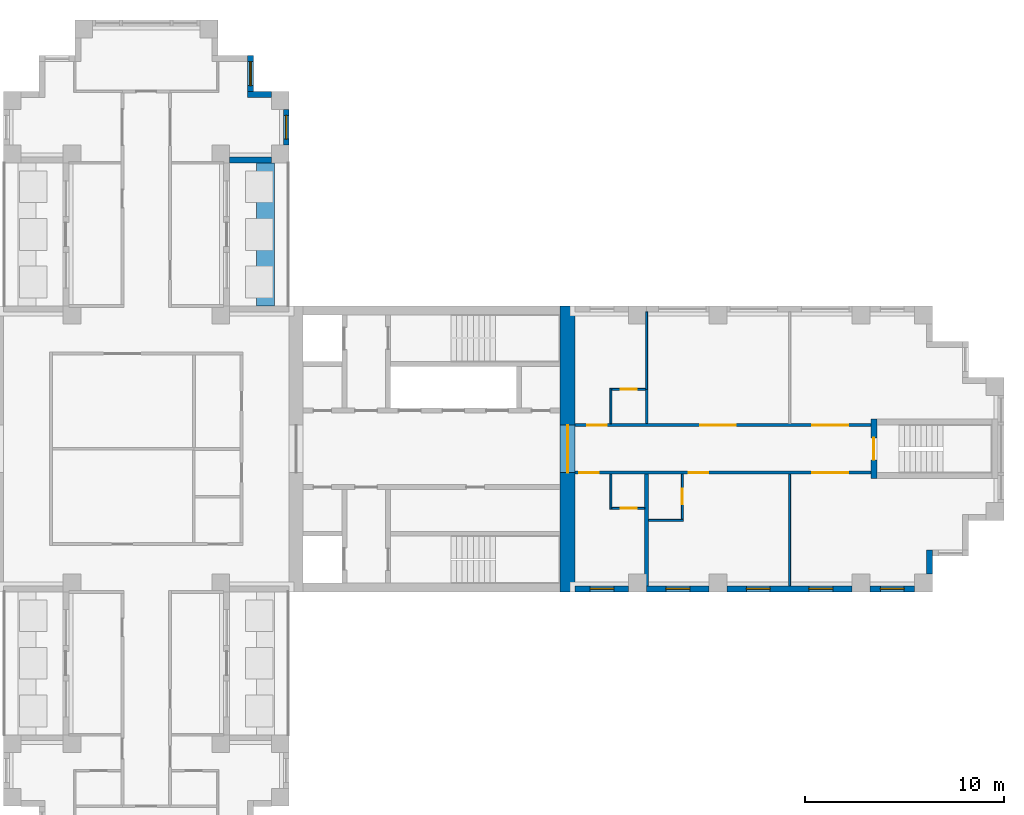
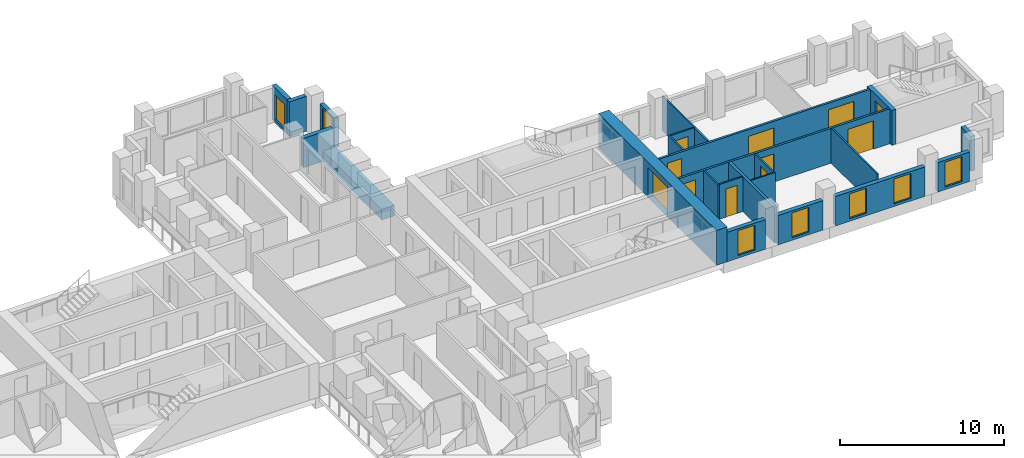
# One storey, part 8 of 12: 24 walls, 11 doors, 7 windows, 18 openings.
"""IFC4 building model written with IfcOpenShell, lengths in metres."""

import ifcopenshell
import ifcopenshell.guid

model = None  # the IFC model being written
_history = None  # IfcOwnerHistory: only IFC2X3 demands one
_inside = {}  # id of a spatial element -> (the spatial element, [elements in it])
_under = {}  # id of a project, library or spatial element -> (it, [spatial elements below it])
_declared = {}  # id of a project -> (the project, [libraries it declares])
_typed = {}  # id of a type object -> (the type object, [elements of that type])
_made_of = {}  # id of a material, layer set ... -> (it, [elements and type objects made of it])


def new_model(schema):
    """Start an empty IFC model of exactly this schema.

    Asked for "IFC4X3", IfcOpenShell would pick the latest addendum, in which some entities
    have other attributes; the version numbers below select the first issue.
    IFC2X3 requires an IfcOwnerHistory on every rooted entity: one is made here for all.
    """
    global model, _history
    if schema == "IFC4X3":
        model = ifcopenshell.file(schema_version=(4, 3, 0, 0))
    else:
        model = ifcopenshell.file(schema=schema)
    _inside.clear()
    _under.clear()
    _declared.clear()
    _typed.clear()
    _made_of.clear()
    _history = None
    if model.schema == "IFC2X3":
        org = make("IfcOrganization", Name="unknown")
        user = make(
            "IfcPersonAndOrganization",
            ThePerson=make("IfcPerson", FamilyName="unknown"),
            TheOrganization=org,
        )
        app = make(
            "IfcApplication",
            ApplicationDeveloper=org,
            Version="unknown",
            ApplicationFullName="unknown",
            ApplicationIdentifier="unknown",
        )
        _history = make(
            "IfcOwnerHistory",
            OwningUser=user,
            OwningApplication=app,
            ChangeAction="ADDED",
            CreationDate=0,
        )
    return model


def make(cls, **values):
    """One entity of the class cls with the attributes given. An attribute that is None is left unset."""
    return model.create_entity(
        cls, **{name: value for name, value in values.items() if value is not None}
    )


def rooted(cls, **values):
    """An entity with a GlobalId (a new one), such as an element, a storey or a relation."""
    return make(cls, GlobalId=ifcopenshell.guid.new(), OwnerHistory=_history, **values)


def si_unit(unit_type, name, prefix=None):
    """IfcSIUnit, for example si_unit("LENGTHUNIT", "METRE", prefix="MILLI")."""
    return make("IfcSIUnit", UnitType=unit_type, Prefix=prefix, Name=name)


def assignment(units):
    """IfcUnitAssignment: the units of a project."""
    return None if units is None else make("IfcUnitAssignment", Units=units)


def point(xyz):
    """IfcCartesianPoint."""
    return None if xyz is None else make("IfcCartesianPoint", Coordinates=xyz)


def direction(xyz):
    """IfcDirection."""
    return None if xyz is None else make("IfcDirection", DirectionRatios=xyz)


def frame(location, z_axis=None, x_axis=None):
    """IfcAxis2Placement3D, a coordinate frame: its origin and axes. An axis left out is left unset."""
    return make(
        "IfcAxis2Placement3D",
        Location=point(location),
        Axis=direction(z_axis),
        RefDirection=direction(x_axis),
    )


def frame_2d(location, x_axis=None):
    """IfcAxis2Placement2D, a coordinate frame in the plane: its origin and x axis."""
    return make(
        "IfcAxis2Placement2D", Location=point(location), RefDirection=direction(x_axis)
    )


def origin():
    """The frame at (0, 0, 0) with its axes left unset."""
    return frame((0.0, 0.0, 0.0))


def place(relative_to, where):
    """IfcLocalPlacement: puts the frame where relative to a parent placement (None: the world)."""
    return make(
        "IfcLocalPlacement", PlacementRelTo=relative_to, RelativePlacement=where
    )


def context(
    kind, dimensions, precision=None, world=None, true_north=None, identifier=None
):
    """IfcGeometricRepresentationContext, for example the 3D "Model" context."""
    return make(
        "IfcGeometricRepresentationContext",
        ContextIdentifier=identifier,
        ContextType=kind,
        CoordinateSpaceDimension=dimensions,
        Precision=precision,
        WorldCoordinateSystem=world,
        TrueNorth=true_north,
    )


def subcontext(parent, identifier, kind, view, scale=None):
    """IfcGeometricRepresentationSubContext, for example "Body" below "Model"."""
    return make(
        "IfcGeometricRepresentationSubContext",
        ContextIdentifier=identifier,
        ContextType=kind,
        ParentContext=parent,
        TargetScale=scale,
        TargetView=view,
    )


def project(units=None, contexts=None):
    """IfcProject with its units and contexts."""
    return rooted(
        "IfcProject",
        Name="project",
        RepresentationContexts=contexts,
        UnitsInContext=assignment(units),
    )


def spatial(cls, under=None, at=None, **own):
    """A site, building, storey or space (cls), placed at a placement, below another one or the project."""
    s = rooted(cls, ObjectPlacement=at, **own)
    if under is not None:
        _under.setdefault(under.id(), (under, []))[1].append(s)
    return s


def profile(cls, at=None, kind="AREA", **sizes):
    """A parametric profile (cls). Its sizes go by their IFC names, for example OverallWidth=200.0."""
    return make(cls, ProfileType=kind, Position=at, **sizes)


def rectangle(**sizes):
    """IfcRectangleProfileDef."""
    return profile("IfcRectangleProfileDef", **sizes)


def extrude(swept, where, along, depth):
    """IfcExtrudedAreaSolid: the profile swept, set in the frame where, extruded along a direction by depth."""
    return make(
        "IfcExtrudedAreaSolid",
        SweptArea=swept,
        Position=where,
        ExtrudedDirection=direction(along),
        Depth=depth,
    )


def shape(context_of_items, identifier, shape_type, items):
    """IfcShapeRepresentation: the items that make up one representation, for example the "Body"."""
    return make(
        "IfcShapeRepresentation",
        ContextOfItems=context_of_items,
        RepresentationIdentifier=identifier,
        RepresentationType=shape_type,
        Items=items,
    )


def material(Name=None, Category=None):
    """IfcMaterial."""
    return make("IfcMaterial", Name=Name, Category=Category)


def layer(
    of_material, thickness, ventilated=None, Name=None, Category=None, Priority=None
):
    """IfcMaterialLayer: one layer of a wall or slab, of a material (None: an air gap)."""
    return make(
        "IfcMaterialLayer",
        Material=of_material,
        LayerThickness=thickness,
        IsVentilated=ventilated,
        Name=Name,
        Category=Category,
        Priority=Priority,
    )


def layer_set(layers, Name=None):
    """IfcMaterialLayerSet."""
    return make("IfcMaterialLayerSet", MaterialLayers=layers, LayerSetName=Name)


def made_of(thing, what):
    """Note that an element or type object is made of a material, layer set ...; save() writes the relation."""
    if what is not None:
        _made_of.setdefault(what.id(), (what, []))[1].append(thing)
    return thing


def type_object(cls, material=None, **own):
    """A type object (cls), such as IfcWallType, which elements share."""
    return made_of(rooted(cls, **own), material)


def element(
    cls,
    number,
    at=None,
    inside=None,
    cuts=None,
    type_object=None,
    material=None,
    context=None,
    identifier="Body",
    shape_type=None,
    held_by="IfcProductDefinitionShape",
    body=None,
    shapes=None,
    **own,
):
    """One element of the class cls, such as IfcWall. Its Tag is "e" and its number.

    at: its placement. inside: the storey or other place that contains it. cuts: it is an
    opening in that element (IfcRelVoidsElement). A single representation is given by context,
    identifier, shape_type and body (its items); several are given by shapes. held_by: the class
    of the entity that holds the representations. save() writes the other relations.
    """
    e = rooted(cls, Tag="e%d" % number, ObjectPlacement=at, **own)
    if body is not None:
        shapes = [shape(context, identifier, shape_type, body)]
    if shapes is not None:
        e.Representation = make(held_by, Representations=shapes)
    if inside is not None:
        _inside.setdefault(inside.id(), (inside, []))[1].append(e)
    if cuts is not None:
        rooted(
            "IfcRelVoidsElement", RelatingBuildingElement=cuts, RelatedOpeningElement=e
        )
    if type_object is not None:
        _typed.setdefault(type_object.id(), (type_object, []))[1].append(e)
    return made_of(e, material)


def fill(opening, filler):
    """IfcRelFillsElement: the door or window that sits in an opening."""
    return rooted(
        "IfcRelFillsElement",
        RelatingOpeningElement=opening,
        RelatedBuildingElement=filler,
    )


def aggregate(whole, parts):
    """IfcRelAggregates: a whole, such as a stair, and the parts it consists of."""
    return rooted("IfcRelAggregates", RelatingObject=whole, RelatedObjects=parts)


def save(model, path):
    """Write the relations noted so far, then the file.

    IfcRelAggregates (storeys below a building ...), IfcRelContainedInSpatialStructure (elements
    in a storey), IfcRelDefinesByType, IfcRelAssociatesMaterial and IfcRelDeclares: one each for
    every whole, place, type object, material and project.
    """
    for whole, parts in _under.values():
        aggregate(whole, parts)
    for where, things in _inside.values():
        rooted(
            "IfcRelContainedInSpatialStructure",
            RelatedElements=things,
            RelatingStructure=where,
        )
    for kind, things in _typed.values():
        rooted("IfcRelDefinesByType", RelatedObjects=things, RelatingType=kind)
    for what, things in _made_of.values():
        rooted("IfcRelAssociatesMaterial", RelatedObjects=things, RelatingMaterial=what)
    for by, libraries in _declared.values():
        rooted("IfcRelDeclares", RelatingContext=by, RelatedDefinitions=libraries)
    model.write(path)


model = new_model("IFC4")

# Units and contexts
model_context = context("Model", 3, precision=1e-05, world=origin(), true_north=direction((0.0, 1.0)))
body_context = subcontext(model_context, "Body", "Model", "MODEL_VIEW")
ifc_project = project(units=[si_unit("LENGTHUNIT", "METRE"), si_unit("AREAUNIT", "SQUARE_METRE"), si_unit("VOLUMEUNIT", "CUBIC_METRE"), si_unit("PLANEANGLEUNIT", "RADIAN"), si_unit("MASSUNIT", "GRAM", prefix="KILO")], contexts=[model_context])

# Site, building, storey
site_placement = place(None, origin())
site = spatial("IfcSite", under=ifc_project, at=site_placement, CompositionType="ELEMENT")
building_placement = place(site_placement, origin())
building = spatial("IfcBuilding", under=site, at=building_placement, Name="Fustian Cross Tower", CompositionType="ELEMENT")
storey_placement = place(building_placement, frame((0.0, 0.0, 132.300048828125)))
storey = spatial("IfcBuildingStorey", under=building, at=storey_placement, Name="L41", CompositionType="ELEMENT", Elevation=132.300048828125)

# Wall, openings, doors
ifc_material_1 = material(Name="Plasterboard on steel stud", Category="steel")
ifc_layer_1 = layer(ifc_material_1, 0.14990234375)
ifc_layer_set_1 = layer_set([ifc_layer_1], Name="Plasterboard on steel stud")
wall_type_1 = type_object("IfcWallType", Name="COMPARTMENT WALL 150 EI 60", PredefinedType="PARTITIONING", material=ifc_layer_set_1)
wall_1_placement = place(storey_placement, frame((21.60009765625, -1.199951171875, 0.0), z_axis=(0.0, 0.0, 1.0), x_axis=(1.0, 0.0, 0.0)))
wall_1 = element("IfcWall", 1, at=wall_1_placement, inside=storey, type_object=wall_type_1, Name="Partition 49", PredefinedType="PARTITIONING", context=body_context, shape_type="SweptSolid", body=[
    extrude(rectangle(XDim=14.89990234375, YDim=0.14990234375, at=frame_2d((7.449951171875, 0.0))), origin(), (0.0, 0.0, 1.0), 2.599853515625),
])
opening_1_placement = place(wall_1_placement, frame((0.199951171875, 0.0, 0.0)))
opening_1 = element("IfcOpeningElement", 2, at=opening_1_placement, cuts=wall_1, Name="Opening D19011", PredefinedType="OPENING", context=body_context, shape_type="SweptSolid", body=[
    extrude(rectangle(XDim=1.0, YDim=2.10009765625, at=frame_2d((0.5, 1.050048828125))), frame((0.0, 0.0849609375, 0.0), z_axis=(0.0, -1.0, 0.0), x_axis=(1.0, 0.0, 0.0)), (0.0, 0.0, 1.0), 0.169921875),
])
opening_2_placement = place(wall_1_placement, frame((5.7099609375, 0.0, 0.0)))
opening_2 = element("IfcOpeningElement", 3, at=opening_2_placement, cuts=wall_1, Name="Opening D19013", PredefinedType="OPENING", context=body_context, shape_type="SweptSolid", body=[
    extrude(rectangle(XDim=1.0, YDim=2.10009765625, at=frame_2d((0.5, 1.050048828125))), frame((0.0, 0.0849609375, 0.0), z_axis=(0.0, -1.0, 0.0), x_axis=(1.0, 0.0, 0.0)), (0.0, 0.0, 1.0), 0.169921875),
])
opening_3_placement = place(wall_1_placement, frame((11.949951171875, 0.0, 0.0)))
opening_3 = element("IfcOpeningElement", 4, at=opening_3_placement, cuts=wall_1, Name="Opening D19014", PredefinedType="OPENING", context=body_context, shape_type="SweptSolid", body=[
    extrude(rectangle(XDim=1.800048828125, YDim=2.10009765625, at=frame_2d((0.89990234375, 1.050048828125))), frame((0.0, 0.0849609375, 0.0), z_axis=(0.0, -1.0, 0.0), x_axis=(1.0, 0.0, 0.0)), (0.0, 0.0, 1.0), 0.169921875),
])
ifc_material_2 = material(Name="Timber fire door set", Category="wood")
door_type_1 = type_object("IfcDoorType", Name="FIRE DOUBLE DOOR 1800 FD30S", OperationType="DOUBLE_DOOR_DOUBLE_SWING", PredefinedType="DOOR", material=ifc_material_2)
door_1_placement = place(opening_3_placement, origin())
door_1 = element("IfcDoor", 5, at=door_1_placement, inside=storey, type_object=door_type_1, Name="Door D19014", OperationType="DOUBLE_DOOR_DOUBLE_SWING", OverallHeight=2.10009765625, OverallWidth=1.800048828125, PredefinedType="DOOR", context=body_context, shape_type="SweptSolid", body=[
    extrude(rectangle(XDim=1.800048828125, YDim=2.10009765625, at=frame_2d((0.89990234375, 1.050048828125))), frame((0.0, 0.02490234375, 0.0), z_axis=(0.0, -1.0, 0.0), x_axis=(1.0, 0.0, 0.0)), (0.0, 0.0, 1.0), 0.050048828125),
])
fill(opening_3, door_1)
ifc_material_3 = material(Name="Timber fire door set", Category="wood")
door_type_2 = type_object("IfcDoorType", Name="FIRE SWING DOOR 1000 FD30S", OperationType="SINGLE_SWING_LEFT", PredefinedType="DOOR", material=ifc_material_3)
door_2_placement = place(opening_1_placement, frame((1.0, 0.0, 0.0), z_axis=(0.0, 0.0, 1.0), x_axis=(-1.0, 0.0, 0.0)))
door_2 = element("IfcDoor", 6, at=door_2_placement, inside=storey, type_object=door_type_2, Name="Door D19011", OperationType="SINGLE_SWING_RIGHT", OverallHeight=2.10009765625, OverallWidth=1.0, PredefinedType="DOOR", context=body_context, shape_type="SweptSolid", body=[
    extrude(rectangle(XDim=1.0, YDim=2.10009765625, at=frame_2d((0.5, 1.050048828125))), frame((0.0, 0.02490234375, 0.0), z_axis=(0.0, -1.0, 0.0), x_axis=(1.0, 0.0, 0.0)), (0.0, 0.0, 1.0), 0.050048828125),
])
fill(opening_1, door_2)
door_3_placement = place(opening_2_placement, frame((1.0, 0.0, 0.0), z_axis=(0.0, 0.0, 1.0), x_axis=(-1.0, 0.0, 0.0)))
door_3 = element("IfcDoor", 7, at=door_3_placement, inside=storey, type_object=door_type_2, Name="Door D19013", OperationType="SINGLE_SWING_RIGHT", OverallHeight=2.10009765625, OverallWidth=1.0, PredefinedType="DOOR", context=body_context, shape_type="SweptSolid", body=[
    extrude(rectangle(XDim=1.0, YDim=2.10009765625, at=frame_2d((0.5, 1.050048828125))), frame((0.0, 0.02490234375, 0.0), z_axis=(0.0, -1.0, 0.0), x_axis=(1.0, 0.0, 0.0)), (0.0, 0.0, 1.0), 0.050048828125),
])
fill(opening_2, door_3)

wall_2_placement = place(storey_placement, frame((21.60009765625, 1.199951171875, 0.0), z_axis=(0.0, 0.0, 1.0), x_axis=(1.0, 0.0, 0.0)))
wall_2 = element("IfcWall", 8, at=wall_2_placement, inside=storey, type_object=wall_type_1, Name="Partition 50", PredefinedType="PARTITIONING", context=body_context, shape_type="SweptSolid", body=[
    extrude(rectangle(XDim=14.89990234375, YDim=0.14990234375, at=frame_2d((7.449951171875, 0.0))), origin(), (0.0, 0.0, 1.0), 2.599853515625),
])
opening_4_placement = place(wall_2_placement, frame((0.60009765625, 0.0, 0.0)))
opening_4 = element("IfcOpeningElement", 9, at=opening_4_placement, cuts=wall_2, Name="Opening D19007", PredefinedType="OPENING", context=body_context, shape_type="SweptSolid", body=[
    extrude(rectangle(XDim=1.0, YDim=2.10009765625, at=frame_2d((0.5, 1.050048828125))), frame((0.0, 0.0849609375, 0.0), z_axis=(0.0, -1.0, 0.0), x_axis=(1.0, 0.0, 0.0)), (0.0, 0.0, 1.0), 0.169921875),
])
opening_5_placement = place(wall_2_placement, frame((6.300048828125, 0.0, 0.0)))
opening_5 = element("IfcOpeningElement", 10, at=opening_5_placement, cuts=wall_2, Name="Opening D19008", PredefinedType="OPENING", context=body_context, shape_type="SweptSolid", body=[
    extrude(rectangle(XDim=1.800048828125, YDim=2.10009765625, at=frame_2d((0.89990234375, 1.050048828125))), frame((0.0, 0.0849609375, 0.0), z_axis=(0.0, -1.0, 0.0), x_axis=(1.0, 0.0, 0.0)), (0.0, 0.0, 1.0), 0.169921875),
])
opening_6_placement = place(wall_2_placement, frame((11.949951171875, 0.0, 0.0)))
opening_6 = element("IfcOpeningElement", 11, at=opening_6_placement, cuts=wall_2, Name="Opening D19009", PredefinedType="OPENING", context=body_context, shape_type="SweptSolid", body=[
    extrude(rectangle(XDim=1.800048828125, YDim=2.10009765625, at=frame_2d((0.89990234375, 1.050048828125))), frame((0.0, 0.0849609375, 0.0), z_axis=(0.0, -1.0, 0.0), x_axis=(1.0, 0.0, 0.0)), (0.0, 0.0, 1.0), 0.169921875),
])
door_4_placement = place(opening_5_placement, frame((1.800048828125, 0.0, 0.0), z_axis=(0.0, 0.0, 1.0), x_axis=(-1.0, 0.0, 0.0)))
door_4 = element("IfcDoor", 12, at=door_4_placement, inside=storey, type_object=door_type_1, Name="Door D19008", OperationType="DOUBLE_DOOR_DOUBLE_SWING", OverallHeight=2.10009765625, OverallWidth=1.800048828125, PredefinedType="DOOR", context=body_context, shape_type="SweptSolid", body=[
    extrude(rectangle(XDim=1.800048828125, YDim=2.10009765625, at=frame_2d((0.89990234375, 1.050048828125))), frame((0.0, 0.02490234375, 0.0), z_axis=(0.0, -1.0, 0.0), x_axis=(1.0, 0.0, 0.0)), (0.0, 0.0, 1.0), 0.050048828125),
])
fill(opening_5, door_4)
door_5_placement = place(opening_6_placement, frame((1.800048828125, 0.0, 0.0), z_axis=(0.0, 0.0, 1.0), x_axis=(-1.0, 0.0, 0.0)))
door_5 = element("IfcDoor", 13, at=door_5_placement, inside=storey, type_object=door_type_1, Name="Door D19009", OperationType="DOUBLE_DOOR_DOUBLE_SWING", OverallHeight=2.10009765625, OverallWidth=1.800048828125, PredefinedType="DOOR", context=body_context, shape_type="SweptSolid", body=[
    extrude(rectangle(XDim=1.800048828125, YDim=2.10009765625, at=frame_2d((0.89990234375, 1.050048828125))), frame((0.0, 0.02490234375, 0.0), z_axis=(0.0, -1.0, 0.0), x_axis=(1.0, 0.0, 0.0)), (0.0, 0.0, 1.0), 0.050048828125),
])
fill(opening_6, door_5)
door_6_placement = place(opening_4_placement, origin())
door_6 = element("IfcDoor", 14, at=door_6_placement, inside=storey, type_object=door_type_2, Name="Door D19007", OperationType="SINGLE_SWING_RIGHT", OverallHeight=2.10009765625, OverallWidth=1.0, PredefinedType="DOOR", context=body_context, shape_type="SweptSolid", body=[
    extrude(rectangle(XDim=1.0, YDim=2.10009765625, at=frame_2d((0.5, 1.050048828125))), frame((0.0, 0.02490234375, 0.0), z_axis=(0.0, -1.0, 0.0), x_axis=(1.0, 0.0, 0.0)), (0.0, 0.0, 1.0), 0.050048828125),
])
fill(opening_4, door_6)

# Wall, opening, door
ifc_material_4 = material(Name="Concrete C60/75", Category="concrete")
ifc_layer_2 = layer(ifc_material_4, 0.75)
ifc_layer_set_2 = layer_set([ifc_layer_2], Name="Concrete C60/75")
wall_type_2 = type_object("IfcWallType", Name="CORE END WALL 750 C60/75", PredefinedType="SHEAR", material=ifc_layer_set_2)
wall_3_placement = place(storey_placement, frame((21.22509765625, -7.199951171875, 0.0), z_axis=(0.0, 0.0, 1.0), x_axis=(0.0, 1.0, 0.0)))
wall_3 = element("IfcWall", 15, at=wall_3_placement, inside=storey, type_object=wall_type_2, Name="Core end wall", PredefinedType="SHEAR", context=body_context, shape_type="SweptSolid", body=[
    extrude(rectangle(XDim=14.39990234375, YDim=0.75, at=frame_2d((7.199951171875, 0.0))), origin(), (0.0, 0.0, 1.0), 2.599853515625),
])
opening_7_placement = place(wall_3_placement, frame((6.0, 0.0, 0.0)))
opening_7 = element("IfcOpeningElement", 16, at=opening_7_placement, cuts=wall_3, Name="Opening CD-17-13", PredefinedType="OPENING", context=body_context, shape_type="SweptSolid", body=[
    extrude(rectangle(XDim=2.39990234375, YDim=2.199951171875, at=frame_2d((1.199951171875, 1.10009765625))), frame((0.0, 0.385009765625, 0.0), z_axis=(0.0, -1.0, 0.0), x_axis=(1.0, 0.0, 0.0)), (0.0, 0.0, 1.0), 0.77001953125),
])
ifc_material_5 = material(Name="Steel", Category="steel")
door_type_3 = type_object("IfcDoorType", Name="FIRE DOOR FD30S DOUBLE 2400X2200", OperationType="DOUBLE_DOOR_DOUBLE_SWING", PredefinedType="DOOR", material=ifc_material_5)
door_7_placement = place(opening_7_placement, origin())
door_7 = element("IfcDoor", 17, at=door_7_placement, inside=storey, type_object=door_type_3, Name="Core door CD-17-13", OperationType="DOUBLE_DOOR_DOUBLE_SWING", OverallHeight=2.199951171875, OverallWidth=2.39990234375, PredefinedType="DOOR", context=body_context, shape_type="SweptSolid", body=[
    extrude(rectangle(XDim=2.39990234375, YDim=2.199951171875, at=frame_2d((1.199951171875, 1.10009765625))), frame((0.0, 0.02490234375, 0.0), z_axis=(0.0, -1.0, 0.0), x_axis=(1.0, 0.0, 0.0)), (0.0, 0.0, 1.0), 0.050048828125),
])
fill(opening_7, door_7)

# Wall
ifc_material_6 = material(Name="Plasterboard on steel stud", Category="steel")
ifc_layer_3 = layer(ifc_material_6, 0.10009765625)
ifc_layer_set_3 = layer_set([ifc_layer_3], Name="Plasterboard on steel stud")
wall_type_3 = type_object("IfcWallType", Name="PARTITION 100 STUD", PredefinedType="PARTITIONING", material=ifc_layer_set_3)
wall_4_placement = place(storey_placement, frame((23.39990234375, -3.050048828125, 0.0), z_axis=(0.0, 0.0, 1.0), x_axis=(0.0, 1.0, 0.0)))
element("IfcWall", 18, at=wall_4_placement, inside=storey, type_object=wall_type_3, Name="Partition 51", PredefinedType="PARTITIONING", context=body_context, shape_type="SweptSolid", body=[
    extrude(rectangle(XDim=1.775146484375, YDim=0.10009765625, at=frame_2d((0.8876953125, 0.0))), origin(), (0.0, 0.0, 1.0), 2.599853515625),
])

# Wall, opening, door
wall_5_placement = place(storey_placement, frame((23.449951171875, -3.0, 0.0), z_axis=(0.0, 0.0, 1.0), x_axis=(1.0, 0.0, 0.0)))
wall_5 = element("IfcWall", 19, at=wall_5_placement, inside=storey, type_object=wall_type_3, Name="Partition 52", PredefinedType="PARTITIONING", context=body_context, shape_type="SweptSolid", body=[
    extrude(rectangle(XDim=1.650146484375, YDim=0.10009765625, at=frame_2d((0.8251953125, 0.0))), origin(), (0.0, 0.0, 1.0), 2.599853515625),
])
opening_8_placement = place(wall_5_placement, frame((0.449951171875, 0.0, 0.0)))
opening_8 = element("IfcOpeningElement", 20, at=opening_8_placement, cuts=wall_5, Name="Opening D19010", PredefinedType="OPENING", context=body_context, shape_type="SweptSolid", body=[
    extrude(rectangle(XDim=0.800048828125, YDim=2.10009765625, at=frame_2d((0.39990234375, 1.050048828125))), frame((0.0, 0.06005859375, 0.0), z_axis=(0.0, -1.0, 0.0), x_axis=(1.0, 0.0, 0.0)), (0.0, 0.0, 1.0), 0.1201171875),
])
ifc_material_7 = material(Name="Painted timber", Category="wood")
door_type_4 = type_object("IfcDoorType", Name="SWING DOOR 800", OperationType="SINGLE_SWING_LEFT", PredefinedType="DOOR", material=ifc_material_7)
door_8_placement = place(opening_8_placement, origin())
door_8 = element("IfcDoor", 21, at=door_8_placement, inside=storey, type_object=door_type_4, Name="Door D19010", OperationType="SINGLE_SWING_RIGHT", OverallHeight=2.10009765625, OverallWidth=0.800048828125, PredefinedType="DOOR", context=body_context, shape_type="SweptSolid", body=[
    extrude(rectangle(XDim=0.800048828125, YDim=2.10009765625, at=frame_2d((0.39990234375, 1.050048828125))), frame((0.0, 0.02490234375, 0.0), z_axis=(0.0, -1.0, 0.0), x_axis=(1.0, 0.0, 0.0)), (0.0, 0.0, 1.0), 0.050048828125),
])
fill(opening_8, door_8)

# Wall
wall_6_placement = place(storey_placement, frame((23.39990234375, 1.27490234375, 0.0), z_axis=(0.0, 0.0, 1.0), x_axis=(0.0, 1.0, 0.0)))
element("IfcWall", 22, at=wall_6_placement, inside=storey, type_object=wall_type_3, Name="Partition 53", PredefinedType="PARTITIONING", context=body_context, shape_type="SweptSolid", body=[
    extrude(rectangle(XDim=1.775146484375, YDim=0.10009765625, at=frame_2d((0.8876953125, 0.0))), origin(), (0.0, 0.0, 1.0), 2.599853515625),
])

# Wall, opening, door
wall_7_placement = place(storey_placement, frame((23.449951171875, 3.0, 0.0), z_axis=(0.0, 0.0, 1.0), x_axis=(1.0, 0.0, 0.0)))
wall_7 = element("IfcWall", 23, at=wall_7_placement, inside=storey, type_object=wall_type_3, Name="Partition 54", PredefinedType="PARTITIONING", context=body_context, shape_type="SweptSolid", body=[
    extrude(rectangle(XDim=1.6875, YDim=0.10009765625, at=frame_2d((0.84375, 0.0))), origin(), (0.0, 0.0, 1.0), 2.599853515625),
])
opening_9_placement = place(wall_7_placement, frame((0.449951171875, 0.0, 0.0)))
opening_9 = element("IfcOpeningElement", 24, at=opening_9_placement, cuts=wall_7, Name="Opening D19006", PredefinedType="OPENING", context=body_context, shape_type="SweptSolid", body=[
    extrude(rectangle(XDim=0.800048828125, YDim=2.10009765625, at=frame_2d((0.39990234375, 1.050048828125))), frame((0.0, 0.06005859375, 0.0), z_axis=(0.0, -1.0, 0.0), x_axis=(1.0, 0.0, 0.0)), (0.0, 0.0, 1.0), 0.1201171875),
])
door_9_placement = place(opening_9_placement, frame((0.800048828125, 0.0, 0.0), z_axis=(0.0, 0.0, 1.0), x_axis=(-1.0, 0.0, 0.0)))
door_9 = element("IfcDoor", 25, at=door_9_placement, inside=storey, type_object=door_type_4, Name="Door D19006", OperationType="SINGLE_SWING_LEFT", OverallHeight=2.10009765625, OverallWidth=0.800048828125, PredefinedType="DOOR", context=body_context, shape_type="SweptSolid", body=[
    extrude(rectangle(XDim=0.800048828125, YDim=2.10009765625, at=frame_2d((0.39990234375, 1.050048828125))), frame((0.0, 0.02490234375, 0.0), z_axis=(0.0, -1.0, 0.0), x_axis=(1.0, 0.0, 0.0)), (0.0, 0.0, 1.0), 0.050048828125),
])
fill(opening_9, door_9)

# Walls
wall_8_placement = place(storey_placement, frame((25.300048828125, -3.60009765625, 0.0), z_axis=(0.0, 0.0, 1.0), x_axis=(1.0, 0.0, 0.0)))
element("IfcWall", 26, at=wall_8_placement, inside=storey, type_object=wall_type_3, Name="Partition 56", PredefinedType="PARTITIONING", context=body_context, shape_type="SweptSolid", body=[
    extrude(rectangle(XDim=1.75, YDim=0.10009765625, at=frame_2d((0.875, 0.0))), origin(), (0.0, 0.0, 1.0), 2.599853515625),
])
wall_9_placement = place(storey_placement, frame((25.199951171875, 3.0, 0.0), z_axis=(0.0, 0.0, 1.0), x_axis=(0.0, 1.0, 0.0)))
element("IfcWall", 27, at=wall_9_placement, inside=storey, type_object=wall_type_3, Name="Partition 58", PredefinedType="PARTITIONING", context=body_context, shape_type="SweptSolid", body=[
    extrude(rectangle(XDim=3.89990234375, YDim=0.10009765625, at=frame_2d((1.949951171875, 0.0))), origin(), (0.0, 0.0, 1.0), 2.599853515625),
])

# Wall, opening, door
wall_10_placement = place(storey_placement, frame((27.0, -3.550048828125, 0.0), z_axis=(0.0, 0.0, 1.0), x_axis=(0.0, 1.0, 0.0)))
wall_10 = element("IfcWall", 28, at=wall_10_placement, inside=storey, type_object=wall_type_3, Name="Partition 59", PredefinedType="PARTITIONING", context=body_context, shape_type="SweptSolid", body=[
    extrude(rectangle(XDim=2.275146484375, YDim=0.10009765625, at=frame_2d((1.1376953125, 0.0))), origin(), (0.0, 0.0, 1.0), 2.599853515625),
])
opening_10_placement = place(wall_10_placement, frame((0.75, 0.0, 0.0)))
opening_10 = element("IfcOpeningElement", 29, at=opening_10_placement, cuts=wall_10, Name="Opening D19012", PredefinedType="OPENING", context=body_context, shape_type="SweptSolid", body=[
    extrude(rectangle(XDim=0.800048828125, YDim=2.10009765625, at=frame_2d((0.39990234375, 1.050048828125))), frame((0.0, 0.06005859375, 0.0), z_axis=(0.0, -1.0, 0.0), x_axis=(1.0, 0.0, 0.0)), (0.0, 0.0, 1.0), 0.1201171875),
])
door_10_placement = place(opening_10_placement, origin())
door_10 = element("IfcDoor", 30, at=door_10_placement, inside=storey, type_object=door_type_4, Name="Door D19012", OperationType="SINGLE_SWING_LEFT", OverallHeight=2.10009765625, OverallWidth=0.800048828125, PredefinedType="DOOR", context=body_context, shape_type="SweptSolid", body=[
    extrude(rectangle(XDim=0.800048828125, YDim=2.10009765625, at=frame_2d((0.39990234375, 1.050048828125))), frame((0.0, 0.02490234375, 0.0), z_axis=(0.0, -1.0, 0.0), x_axis=(1.0, 0.0, 0.0)), (0.0, 0.0, 1.0), 0.050048828125),
])
fill(opening_10, door_10)

# Walls
wall_11_placement = place(storey_placement, frame((32.39990234375, -6.89990234375, 0.0), z_axis=(0.0, 0.0, 1.0), x_axis=(0.0, 1.0, 0.0)))
element("IfcWall", 31, at=wall_11_placement, inside=storey, type_object=wall_type_3, Name="Partition 60", PredefinedType="PARTITIONING", context=body_context, shape_type="SweptSolid", body=[
    extrude(rectangle(XDim=5.625, YDim=0.10009765625, at=frame_2d((2.8125, 0.0))), origin(), (0.0, 0.0, 1.0), 2.599853515625),
])
ifc_material_8 = material(Name="Plasterboard on steel stud", Category="steel")
ifc_layer_4 = layer(ifc_material_8, 0.199951171875)
ifc_layer_set_4 = layer_set([ifc_layer_4], Name="Plasterboard on steel stud")
wall_type_4 = type_object("IfcWallType", Name="PARTY WALL 200 EI 60", PredefinedType="PARTITIONING", material=ifc_layer_set_4)
wall_12_placement = place(storey_placement, frame((25.199951171875, -6.89990234375, 0.0), z_axis=(0.0, 0.0, 1.0), x_axis=(0.0, 1.0, 0.0)))
element("IfcWall", 32, at=wall_12_placement, inside=storey, type_object=wall_type_4, Name="Partition 55", PredefinedType="PARTITIONING", context=body_context, shape_type="SweptSolid", body=[
    extrude(rectangle(XDim=5.625, YDim=0.199951171875, at=frame_2d((2.8125, 0.0))), origin(), (0.0, 0.0, 1.0), 2.599853515625),
])
ifc_material_9 = material(Name="Concrete C40/50", Category="concrete")
ifc_layer_5 = layer(ifc_material_9, 0.89990234375)
ifc_layer_set_5 = layer_set([ifc_layer_5], Name="Concrete C40/50")
wall_type_5 = type_object("IfcWallType", Name="PK1 PLANTER 900", PredefinedType="PARAPET", material=ifc_layer_set_5)
wall_13_placement = place(storey_placement, frame((6.0, 7.199951171875, 0.0), z_axis=(0.0, 0.0, 1.0), x_axis=(0.0, 1.0, 0.0)))
element("IfcWall", 33, at=wall_13_placement, inside=storey, type_object=wall_type_5, Name="PLANTER", PredefinedType="PARAPET", context=body_context, shape_type="SweptSolid", body=[
    extrude(rectangle(XDim=7.199951171875, YDim=0.89990234375, at=frame_2d((3.60009765625, 0.0))), origin(), (0.0, 0.0, 1.0), 0.800048828125),
])

# Wall, opening, door
ifc_material_10 = material(Name="Concrete C50/60", Category="concrete")
ifc_layer_6 = layer(ifc_material_10, 0.300048828125)
ifc_layer_set_6 = layer_set([ifc_layer_6], Name="Concrete C50/60")
wall_type_6 = type_object("IfcWallType", Name="STAIR ENCLOSURE WALL 300 C50/60", PredefinedType="SHEAR", material=ifc_layer_set_6)
wall_14_placement = place(storey_placement, frame((36.64990234375, -1.5, 0.0), z_axis=(0.0, 0.0, 1.0), x_axis=(0.0, 1.0, 0.0)))
wall_14 = element("IfcWall", 34, at=wall_14_placement, inside=storey, type_object=wall_type_6, Name="Stair enclosure wall", PredefinedType="SHEAR", context=body_context, shape_type="SweptSolid", body=[
    extrude(rectangle(XDim=3.0, YDim=0.300048828125, at=frame_2d((1.5, 0.0))), origin(), (0.0, 0.0, 1.0), 2.599853515625),
])
opening_11_placement = place(wall_14_placement, frame((0.949951171875, 0.0, 0.0)))
opening_11 = element("IfcOpeningElement", 35, at=opening_11_placement, cuts=wall_14, Name="Opening CD-17-31", PredefinedType="OPENING", context=body_context, shape_type="SweptSolid", body=[
    extrude(rectangle(XDim=1.10009765625, YDim=2.10009765625, at=frame_2d((0.550048828125, 1.050048828125))), frame((0.0, 0.159912109375, 0.0), z_axis=(0.0, -1.0, 0.0), x_axis=(1.0, 0.0, 0.0)), (0.0, 0.0, 1.0), 0.320068359375),
])
ifc_material_11 = material(Name="Steel", Category="steel")
door_type_5 = type_object("IfcDoorType", Name="FIRE DOOR FD60S 1100X2100", OperationType="SINGLE_SWING_LEFT", PredefinedType="DOOR", material=ifc_material_11)
door_11_placement = place(opening_11_placement, frame((1.10009765625, 0.0, 0.0), z_axis=(0.0, 0.0, 1.0), x_axis=(-1.0, 0.0, 0.0)))
door_11 = element("IfcDoor", 36, at=door_11_placement, inside=storey, type_object=door_type_5, Name="Core door CD-17-31", OperationType="SINGLE_SWING_RIGHT", OverallHeight=2.10009765625, OverallWidth=1.10009765625, PredefinedType="DOOR", context=body_context, shape_type="SweptSolid", body=[
    extrude(rectangle(XDim=1.10009765625, YDim=2.10009765625, at=frame_2d((0.550048828125, 1.050048828125))), frame((0.0, 0.02490234375, 0.0), z_axis=(0.0, -1.0, 0.0), x_axis=(1.0, 0.0, 0.0)), (0.0, 0.0, 1.0), 0.050048828125),
])
fill(opening_11, door_11)

# Wall
ifc_material_12 = material(Name="Plasterboard on steel stud", Category="steel")
ifc_layer_7 = layer(ifc_material_12, 0.125)
ifc_layer_set_7 = layer_set([ifc_layer_7], Name="Plasterboard on steel stud")
wall_type_7 = type_object("IfcWallType", Name="WET WALL 125 STUD", PredefinedType="PARTITIONING", material=ifc_layer_set_7)
wall_15_placement = place(storey_placement, frame((25.199951171875, 1.27490234375, 0.0), z_axis=(0.0, 0.0, 1.0), x_axis=(0.0, 1.0, 0.0)))
element("IfcWall", 37, at=wall_15_placement, inside=storey, type_object=wall_type_7, Name="Partition 57", PredefinedType="PARTITIONING", context=body_context, shape_type="SweptSolid", body=[
    extrude(rectangle(XDim=1.72509765625, YDim=0.125, at=frame_2d((0.862548828125, 0.0))), origin(), (0.0, 0.0, 1.0), 2.599853515625),
])

# Wall, opening, window
ifc_material_13 = material(Name="Dark aluminium cladding on insulated backing wall", Category="aluminium")
ifc_layer_8 = layer(ifc_material_13, 0.300048828125)
ifc_layer_set_8 = layer_set([ifc_layer_8], Name="Dark aluminium cladding on insulated backing wall")
wall_type_8 = type_object("IfcWallType", Name="XW1 EXTERNAL WALL 300", PredefinedType="SOLIDWALL", material=ifc_layer_set_8)
wall_16_placement = place(storey_placement, frame((21.60009765625, -7.050048828125, 0.0), z_axis=(0.0, 0.0, 1.0), x_axis=(1.0, 0.0, 0.0)))
wall_16 = element("IfcWall", 38, at=wall_16_placement, inside=storey, type_object=wall_type_8, Name="External wall", PredefinedType="SOLIDWALL", context=body_context, shape_type="SweptSolid", body=[
    extrude(rectangle(XDim=2.699951171875, YDim=0.300048828125, at=frame_2d((1.35009765625, 0.0))), origin(), (0.0, 0.0, 1.0), 2.199951171875),
])
opening_12_placement = place(wall_16_placement, frame((0.75, 0.0, 0.199951171875)))
opening_12 = element("IfcOpeningElement", 39, at=opening_12_placement, cuts=wall_16, Name="Opening WN3", PredefinedType="OPENING", context=body_context, shape_type="SweptSolid", body=[
    extrude(rectangle(XDim=1.199951171875, YDim=1.85009765625, at=frame_2d((0.60009765625, 0.925048828125))), frame((0.0, 0.159912109375, 0.0), z_axis=(0.0, -1.0, 0.0), x_axis=(1.0, 0.0, 0.0)), (0.0, 0.0, 1.0), 0.320068359375),
])
ifc_material_14 = material(Name="Dark anodised aluminium and double glazing", Category="aluminium")
window_type = type_object("IfcWindowType", Name="WN3 WINDOW 1200X1850", PartitioningType="SINGLE_PANEL", PredefinedType="WINDOW", material=ifc_material_14)
window_1_placement = place(opening_12_placement, origin())
window_1 = element("IfcWindow", 40, at=window_1_placement, inside=storey, type_object=window_type, Name="Window", OverallHeight=1.85009765625, OverallWidth=1.199951171875, PartitioningType="SINGLE_PANEL", PredefinedType="WINDOW", context=body_context, shape_type="SweptSolid", body=[
    extrude(rectangle(XDim=1.199951171875, YDim=1.85009765625, at=frame_2d((0.60009765625, 0.925048828125))), frame((0.0, 0.030029296875, 0.0), z_axis=(0.0, -1.0, 0.0), x_axis=(1.0, 0.0, 0.0)), (0.0, 0.0, 1.0), 0.06005859375),
])
fill(opening_12, window_1)

wall_17_placement = place(storey_placement, frame((25.199951171875, -7.050048828125, 0.0), z_axis=(0.0, 0.0, 1.0), x_axis=(1.0, 0.0, 0.0)))
wall_17 = element("IfcWall", 41, at=wall_17_placement, inside=storey, type_object=wall_type_8, Name="External wall", PredefinedType="SOLIDWALL", context=body_context, shape_type="SweptSolid", body=[
    extrude(rectangle(XDim=3.150146484375, YDim=0.300048828125, at=frame_2d((1.5751953125, 0.0))), origin(), (0.0, 0.0, 1.0), 2.199951171875),
])
opening_13_placement = place(wall_17_placement, frame((0.97509765625, 0.0, 0.199951171875)))
opening_13 = element("IfcOpeningElement", 42, at=opening_13_placement, cuts=wall_17, Name="Opening WN3", PredefinedType="OPENING", context=body_context, shape_type="SweptSolid", body=[
    extrude(rectangle(XDim=1.199951171875, YDim=1.85009765625, at=frame_2d((0.60009765625, 0.925048828125))), frame((0.0, 0.159912109375, 0.0), z_axis=(0.0, -1.0, 0.0), x_axis=(1.0, 0.0, 0.0)), (0.0, 0.0, 1.0), 0.320068359375),
])
window_2_placement = place(opening_13_placement, origin())
window_2 = element("IfcWindow", 43, at=window_2_placement, inside=storey, type_object=window_type, Name="Window", OverallHeight=1.85009765625, OverallWidth=1.199951171875, PartitioningType="SINGLE_PANEL", PredefinedType="WINDOW", context=body_context, shape_type="SweptSolid", body=[
    extrude(rectangle(XDim=1.199951171875, YDim=1.85009765625, at=frame_2d((0.60009765625, 0.925048828125))), frame((0.0, 0.030029296875, 0.0), z_axis=(0.0, -1.0, 0.0), x_axis=(1.0, 0.0, 0.0)), (0.0, 0.0, 1.0), 0.06005859375),
])
fill(opening_13, window_2)

# Wall, openings, windows
wall_18_placement = place(storey_placement, frame((29.25, -7.050048828125, 0.0), z_axis=(0.0, 0.0, 1.0), x_axis=(1.0, 0.0, 0.0)))
wall_18 = element("IfcWall", 44, at=wall_18_placement, inside=storey, type_object=wall_type_8, Name="External wall", PredefinedType="SOLIDWALL", context=body_context, shape_type="SweptSolid", body=[
    extrude(rectangle(XDim=6.300048828125, YDim=0.300048828125, at=frame_2d((3.14990234375, 0.0))), origin(), (0.0, 0.0, 1.0), 2.199951171875),
])
opening_14_placement = place(wall_18_placement, frame((0.97509765625, 0.0, 0.199951171875)))
opening_14 = element("IfcOpeningElement", 45, at=opening_14_placement, cuts=wall_18, Name="Opening WN3", PredefinedType="OPENING", context=body_context, shape_type="SweptSolid", body=[
    extrude(rectangle(XDim=1.199951171875, YDim=1.85009765625, at=frame_2d((0.60009765625, 0.925048828125))), frame((0.0, 0.159912109375, 0.0), z_axis=(0.0, -1.0, 0.0), x_axis=(1.0, 0.0, 0.0)), (0.0, 0.0, 1.0), 0.320068359375),
])
opening_15_placement = place(wall_18_placement, frame((4.125, 0.0, 0.199951171875)))
opening_15 = element("IfcOpeningElement", 46, at=opening_15_placement, cuts=wall_18, Name="Opening WN3", PredefinedType="OPENING", context=body_context, shape_type="SweptSolid", body=[
    extrude(rectangle(XDim=1.199951171875, YDim=1.85009765625, at=frame_2d((0.60009765625, 0.925048828125))), frame((0.0, 0.159912109375, 0.0), z_axis=(0.0, -1.0, 0.0), x_axis=(1.0, 0.0, 0.0)), (0.0, 0.0, 1.0), 0.320068359375),
])
window_3_placement = place(opening_14_placement, origin())
window_3 = element("IfcWindow", 47, at=window_3_placement, inside=storey, type_object=window_type, Name="Window", OverallHeight=1.85009765625, OverallWidth=1.199951171875, PartitioningType="SINGLE_PANEL", PredefinedType="WINDOW", context=body_context, shape_type="SweptSolid", body=[
    extrude(rectangle(XDim=1.199951171875, YDim=1.85009765625, at=frame_2d((0.60009765625, 0.925048828125))), frame((0.0, 0.030029296875, 0.0), z_axis=(0.0, -1.0, 0.0), x_axis=(1.0, 0.0, 0.0)), (0.0, 0.0, 1.0), 0.06005859375),
])
fill(opening_14, window_3)
window_4_placement = place(opening_15_placement, origin())
window_4 = element("IfcWindow", 48, at=window_4_placement, inside=storey, type_object=window_type, Name="Window", OverallHeight=1.85009765625, OverallWidth=1.199951171875, PartitioningType="SINGLE_PANEL", PredefinedType="WINDOW", context=body_context, shape_type="SweptSolid", body=[
    extrude(rectangle(XDim=1.199951171875, YDim=1.85009765625, at=frame_2d((0.60009765625, 0.925048828125))), frame((0.0, 0.030029296875, 0.0), z_axis=(0.0, -1.0, 0.0), x_axis=(1.0, 0.0, 0.0)), (0.0, 0.0, 1.0), 0.06005859375),
])
fill(opening_15, window_4)

# Wall, opening, window
wall_19_placement = place(storey_placement, frame((36.449951171875, -7.050048828125, 0.0), z_axis=(0.0, 0.0, 1.0), x_axis=(1.0, 0.0, 0.0)))
wall_19 = element("IfcWall", 49, at=wall_19_placement, inside=storey, type_object=wall_type_8, Name="External wall", PredefinedType="SOLIDWALL", context=body_context, shape_type="SweptSolid", body=[
    extrude(rectangle(XDim=2.25, YDim=0.300048828125, at=frame_2d((1.125, 0.0))), origin(), (0.0, 0.0, 1.0), 2.199951171875),
])
opening_16_placement = place(wall_19_placement, frame((0.52490234375, 0.0, 0.199951171875)))
opening_16 = element("IfcOpeningElement", 50, at=opening_16_placement, cuts=wall_19, Name="Opening WN3", PredefinedType="OPENING", context=body_context, shape_type="SweptSolid", body=[
    extrude(rectangle(XDim=1.199951171875, YDim=1.85009765625, at=frame_2d((0.60009765625, 0.925048828125))), frame((0.0, 0.159912109375, 0.0), z_axis=(0.0, -1.0, 0.0), x_axis=(1.0, 0.0, 0.0)), (0.0, 0.0, 1.0), 0.320068359375),
])
window_5_placement = place(opening_16_placement, origin())
window_5 = element("IfcWindow", 51, at=window_5_placement, inside=storey, type_object=window_type, Name="Window", OverallHeight=1.85009765625, OverallWidth=1.199951171875, PartitioningType="SINGLE_PANEL", PredefinedType="WINDOW", context=body_context, shape_type="SweptSolid", body=[
    extrude(rectangle(XDim=1.199951171875, YDim=1.85009765625, at=frame_2d((0.60009765625, 0.925048828125))), frame((0.0, 0.030029296875, 0.0), z_axis=(0.0, -1.0, 0.0), x_axis=(1.0, 0.0, 0.0)), (0.0, 0.0, 1.0), 0.06005859375),
])
fill(opening_16, window_5)

# Walls
wall_20_placement = place(storey_placement, frame((39.449951171875, -6.300048828125, 0.0), z_axis=(0.0, 0.0, 1.0), x_axis=(0.0, 1.0, 0.0)))
element("IfcWall", 52, at=wall_20_placement, inside=storey, type_object=wall_type_8, Name="External wall", PredefinedType="SOLIDWALL", context=body_context, shape_type="SweptSolid", body=[
    extrude(rectangle(XDim=1.199951171875, YDim=0.300048828125, at=frame_2d((0.60009765625, 0.0))), origin(), (0.0, 0.0, 1.0), 2.599853515625),
])
wall_21_placement = place(storey_placement, frame((4.199951171875, 14.550048828125, 0.0), z_axis=(0.0, 0.0, 1.0), x_axis=(1.0, 0.0, 0.0)))
element("IfcWall", 53, at=wall_21_placement, inside=storey, type_object=wall_type_8, Name="External wall", PredefinedType="SOLIDWALL", context=body_context, shape_type="SweptSolid", body=[
    extrude(rectangle(XDim=2.10009765625, YDim=0.300048828125, at=frame_2d((1.050048828125, 0.0))), origin(), (0.0, 0.0, 1.0), 2.199951171875),
])

# Wall, opening, window
wall_22_placement = place(storey_placement, frame((7.050048828125, 15.300048828125, 0.0), z_axis=(0.0, 0.0, 1.0), x_axis=(0.0, 1.0, 0.0)))
wall_22 = element("IfcWall", 54, at=wall_22_placement, inside=storey, type_object=wall_type_8, Name="External wall", PredefinedType="SOLIDWALL", context=body_context, shape_type="SweptSolid", body=[
    extrude(rectangle(XDim=1.800048828125, YDim=0.300048828125, at=frame_2d((0.89990234375, 0.0))), origin(), (0.0, 0.0, 1.0), 2.199951171875),
])
opening_17_placement = place(wall_22_placement, frame((0.300048828125, 0.0, 0.199951171875)))
opening_17 = element("IfcOpeningElement", 55, at=opening_17_placement, cuts=wall_22, Name="Opening WN3", PredefinedType="OPENING", context=body_context, shape_type="SweptSolid", body=[
    extrude(rectangle(XDim=1.199951171875, YDim=1.85009765625, at=frame_2d((0.60009765625, 0.925048828125))), frame((0.0, 0.159912109375, 0.0), z_axis=(0.0, -1.0, 0.0), x_axis=(1.0, 0.0, 0.0)), (0.0, 0.0, 1.0), 0.320068359375),
])
window_6_placement = place(opening_17_placement, origin())
window_6 = element("IfcWindow", 56, at=window_6_placement, inside=storey, type_object=window_type, Name="Window", OverallHeight=1.85009765625, OverallWidth=1.199951171875, PartitioningType="SINGLE_PANEL", PredefinedType="WINDOW", context=body_context, shape_type="SweptSolid", body=[
    extrude(rectangle(XDim=1.199951171875, YDim=1.85009765625, at=frame_2d((0.60009765625, 0.925048828125))), frame((0.0, 0.030029296875, 0.0), z_axis=(0.0, -1.0, 0.0), x_axis=(1.0, 0.0, 0.0)), (0.0, 0.0, 1.0), 0.06005859375),
])
fill(opening_17, window_6)

# Wall
wall_23_placement = place(storey_placement, frame((6.300048828125, 17.85009765625, 0.0), z_axis=(0.0, 0.0, 1.0), x_axis=(-1.0, 0.0, 0.0)))
element("IfcWall", 57, at=wall_23_placement, inside=storey, type_object=wall_type_8, Name="External wall", PredefinedType="SOLIDWALL", context=body_context, shape_type="SweptSolid", body=[
    extrude(rectangle(XDim=1.199951171875, YDim=0.300048828125, at=frame_2d((0.60009765625, 0.0))), origin(), (0.0, 0.0, 1.0), 2.599853515625),
])

# Wall, opening, window
wall_24_placement = place(storey_placement, frame((5.25, 18.0, 0.0), z_axis=(0.0, 0.0, 1.0), x_axis=(0.0, 1.0, 0.0)))
wall_24 = element("IfcWall", 58, at=wall_24_placement, inside=storey, type_object=wall_type_8, Name="External wall", PredefinedType="SOLIDWALL", context=body_context, shape_type="SweptSolid", body=[
    extrude(rectangle(XDim=1.800048828125, YDim=0.300048828125, at=frame_2d((0.89990234375, 0.0))), origin(), (0.0, 0.0, 1.0), 2.599853515625),
])
opening_18_placement = place(wall_24_placement, frame((0.300048828125, 0.0, 0.199951171875)))
opening_18 = element("IfcOpeningElement", 59, at=opening_18_placement, cuts=wall_24, Name="Opening WN3", PredefinedType="OPENING", context=body_context, shape_type="SweptSolid", body=[
    extrude(rectangle(XDim=1.199951171875, YDim=1.85009765625, at=frame_2d((0.60009765625, 0.925048828125))), frame((0.0, 0.159912109375, 0.0), z_axis=(0.0, -1.0, 0.0), x_axis=(1.0, 0.0, 0.0)), (0.0, 0.0, 1.0), 0.320068359375),
])
window_7_placement = place(opening_18_placement, origin())
window_7 = element("IfcWindow", 60, at=window_7_placement, inside=storey, type_object=window_type, Name="Window", OverallHeight=1.85009765625, OverallWidth=1.199951171875, PartitioningType="SINGLE_PANEL", PredefinedType="WINDOW", context=body_context, shape_type="SweptSolid", body=[
    extrude(rectangle(XDim=1.199951171875, YDim=1.85009765625, at=frame_2d((0.60009765625, 0.925048828125))), frame((0.0, 0.030029296875, 0.0), z_axis=(0.0, -1.0, 0.0), x_axis=(1.0, 0.0, 0.0)), (0.0, 0.0, 1.0), 0.06005859375),
])
fill(opening_18, window_7)

save(model, "model.ifc")
